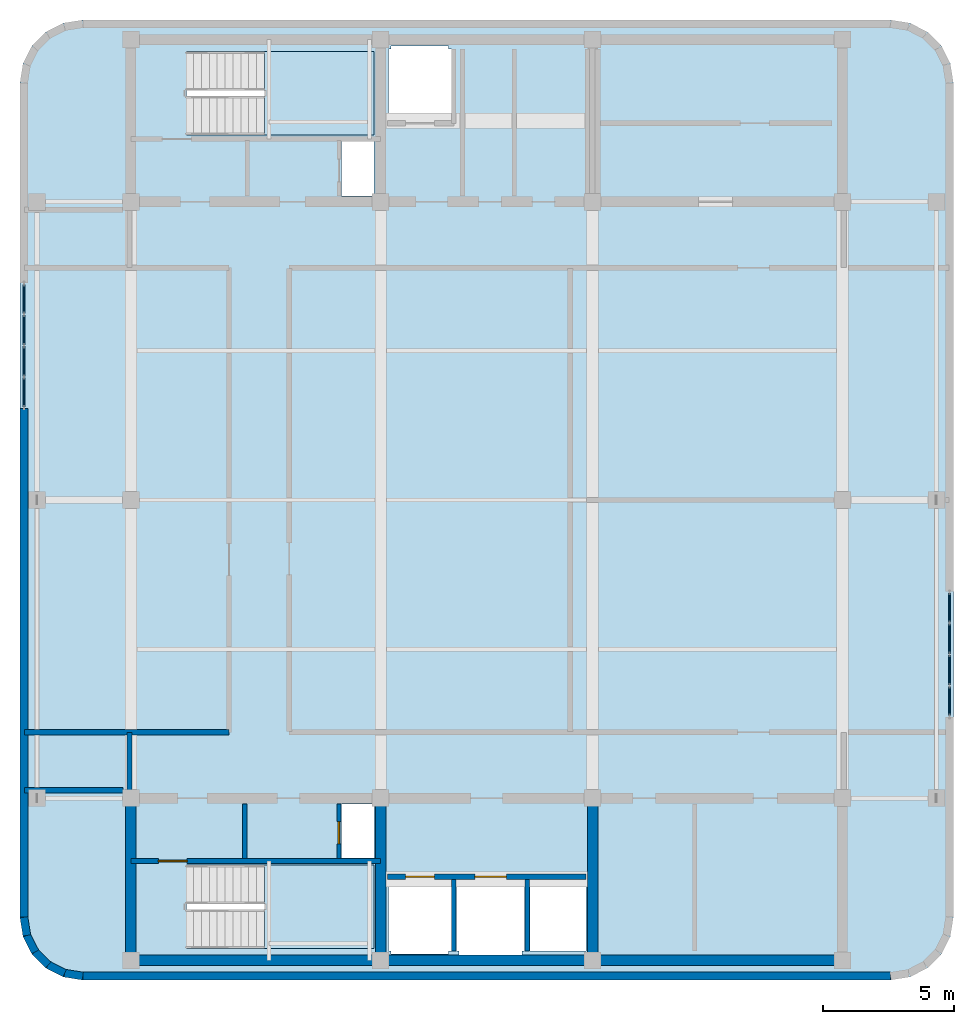
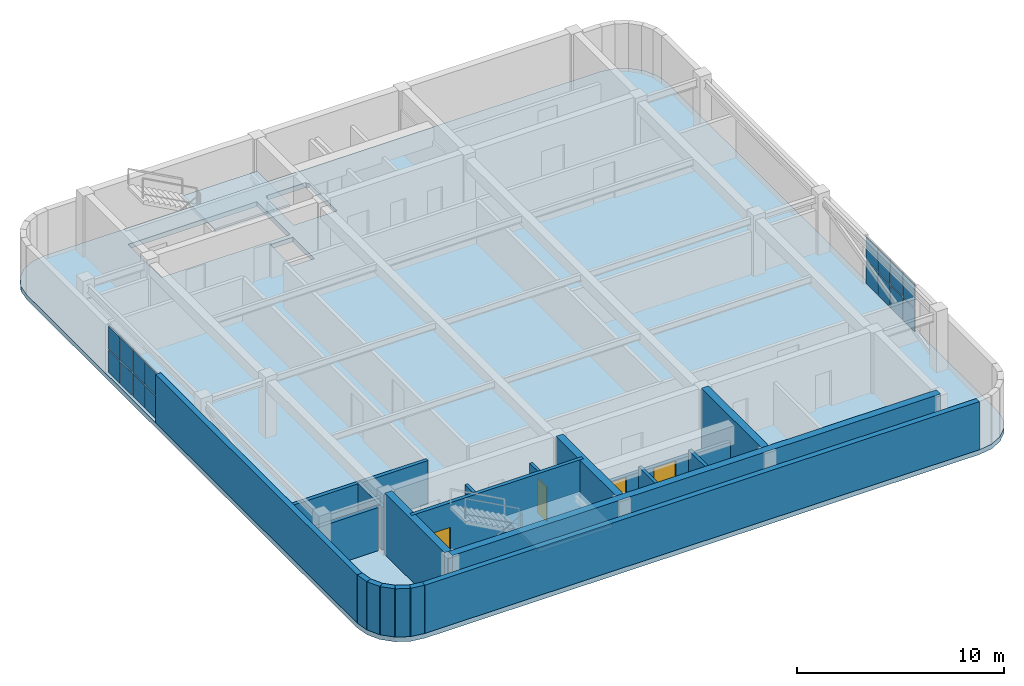
# One storey, part 4 of 9: 20 walls, 16 plates, 4 doors, 3 slabs, 4 openings, 4 elements without a shape of their own.
"""IFC4 building model written with IfcOpenShell, lengths in metres."""

from ifc_helpers import new_model, si_unit, direction, frame, frame_2d, origin, origin_2d, place, context, subcontext, project, spatial, polyline, rectangle, outline, extrude, material, layer, layer_set, type_object, element, fill, aggregate, save


model = new_model("IFC4")

# Units and contexts
model_context = context("Model", 3, precision=1e-05, world=origin(), true_north=direction((0.0, 1.0)))
body_context = subcontext(model_context, "Body", "Model", "MODEL_VIEW")
ifc_project = project(units=[si_unit("LENGTHUNIT", "METRE"), si_unit("AREAUNIT", "SQUARE_METRE"), si_unit("VOLUMEUNIT", "CUBIC_METRE"), si_unit("PLANEANGLEUNIT", "RADIAN"), si_unit("MASSUNIT", "GRAM", prefix="KILO")], contexts=[model_context])

# Site, building, storey
site_placement = place(None, origin())
site = spatial("IfcSite", under=ifc_project, at=site_placement, CompositionType="ELEMENT")
building_placement = place(site_placement, origin())
building = spatial("IfcBuilding", under=site, at=building_placement, Name="Svetorya Sky Lyceum", CompositionType="ELEMENT")
storey_placement = place(building_placement, frame((0.0, 0.0, 312.800048828125)))
storey = spatial("IfcBuildingStorey", under=building, at=storey_placement, Name="C04", CompositionType="ELEMENT", Elevation=312.800048828125)

# Curtain wall, plates
ifc_material_1 = material(Name="Thermally broken anodized aluminium and triple low-E glass", Category="aluminium")
curtain_wall_type = type_object("IfcCurtainWallType", Name="CW5-LVR-PLT", PredefinedType="NOTDEFINED", material=ifc_material_1)
curtain_wall_1_placement = place(storey_placement, origin())
curtain_wall_1 = element("IfcCurtainWall", 1, at=curtain_wall_1_placement, inside=storey, type_object=curtain_wall_type, Name="C04 Acoustic Plant Louvre Curtain Wall 12", PredefinedType="NOTDEFINED")
ifc_material_2 = material(Name="Powder-coated extruded aluminium acoustic louvre blade", Category="aluminium")
ifc_layer_1 = layer(ifc_material_2, 0.06494140625)
ifc_layer_set_1 = layer_set([ifc_layer_1], Name="Powder-coated extruded aluminium acoustic louvre blade")
plate_type = type_object("IfcPlateType", Name="CWP-LVR-65", PredefinedType="SHEET", material=ifc_layer_set_1)
plate_1_placement = place(storey_placement, frame((56.889892578125, 20.516357421875, 0.0634765625), z_axis=(0.0, 0.0, 1.0), x_axis=(0.0, 1.0, 0.0)))
plate_1 = element("IfcPlate", 2, at=plate_1_placement, type_object=plate_type, Name="CW-5 panel 1.1", PredefinedType="SHEET", context=body_context, shape_type="SweptSolid", body=[
    extrude(rectangle(XDim=1.10546875, YDim=0.06494140625, at=origin_2d()), origin(), (0.0, 0.0, 1.0), 1.325439453125),
])
plate_2_placement = place(storey_placement, frame((56.889892578125, 20.516357421875, 1.451171875), z_axis=(0.0, 0.0, 1.0), x_axis=(0.0, 1.0, 0.0)))
plate_2 = element("IfcPlate", 3, at=plate_2_placement, type_object=plate_type, Name="CW-5 panel 1.2", PredefinedType="SHEET", context=body_context, shape_type="SweptSolid", body=[
    extrude(rectangle(XDim=1.10546875, YDim=0.06494140625, at=origin_2d()), origin(), (0.0, 0.0, 1.0), 1.325439453125),
])
plate_3_placement = place(storey_placement, frame((56.889892578125, 21.699951171875, 0.0634765625), z_axis=(0.0, 0.0, 1.0), x_axis=(0.0, 1.0, 0.0)))
plate_3 = element("IfcPlate", 4, at=plate_3_placement, type_object=plate_type, Name="CW-5 panel 2.1", PredefinedType="SHEET", context=body_context, shape_type="SweptSolid", body=[
    extrude(rectangle(XDim=1.137939453125, YDim=0.06494140625, at=origin_2d()), origin(), (0.0, 0.0, 1.0), 1.325439453125),
])
plate_4_placement = place(storey_placement, frame((56.889892578125, 21.699951171875, 1.451171875), z_axis=(0.0, 0.0, 1.0), x_axis=(0.0, 1.0, 0.0)))
plate_4 = element("IfcPlate", 5, at=plate_4_placement, type_object=plate_type, Name="CW-5 panel 2.2", PredefinedType="SHEET", context=body_context, shape_type="SweptSolid", body=[
    extrude(rectangle(XDim=1.137939453125, YDim=0.06494140625, at=origin_2d()), origin(), (0.0, 0.0, 1.0), 1.325439453125),
])
plate_5_placement = place(storey_placement, frame((56.889892578125, 22.89990234375, 0.0634765625), z_axis=(0.0, 0.0, 1.0), x_axis=(0.0, 1.0, 0.0)))
plate_5 = element("IfcPlate", 6, at=plate_5_placement, type_object=plate_type, Name="CW-5 panel 3.1", PredefinedType="SHEET", context=body_context, shape_type="SweptSolid", body=[
    extrude(rectangle(XDim=1.137939453125, YDim=0.06494140625, at=origin_2d()), origin(), (0.0, 0.0, 1.0), 1.325439453125),
])
plate_6_placement = place(storey_placement, frame((56.889892578125, 22.89990234375, 1.451171875), z_axis=(0.0, 0.0, 1.0), x_axis=(0.0, 1.0, 0.0)))
plate_6 = element("IfcPlate", 7, at=plate_6_placement, type_object=plate_type, Name="CW-5 panel 3.2", PredefinedType="SHEET", context=body_context, shape_type="SweptSolid", body=[
    extrude(rectangle(XDim=1.137939453125, YDim=0.06494140625, at=origin_2d()), origin(), (0.0, 0.0, 1.0), 1.325439453125),
])
plate_7_placement = place(storey_placement, frame((56.889892578125, 24.083740234375, 0.0634765625), z_axis=(0.0, 0.0, 1.0), x_axis=(0.0, 1.0, 0.0)))
plate_7 = element("IfcPlate", 8, at=plate_7_placement, type_object=plate_type, Name="CW-5 panel 4.1", PredefinedType="SHEET", context=body_context, shape_type="SweptSolid", body=[
    extrude(rectangle(XDim=1.10546875, YDim=0.06494140625, at=origin_2d()), origin(), (0.0, 0.0, 1.0), 1.325439453125),
])
plate_8_placement = place(storey_placement, frame((56.889892578125, 24.083740234375, 1.451171875), z_axis=(0.0, 0.0, 1.0), x_axis=(0.0, 1.0, 0.0)))
plate_8 = element("IfcPlate", 9, at=plate_8_placement, type_object=plate_type, Name="CW-5 panel 4.2", PredefinedType="SHEET", context=body_context, shape_type="SweptSolid", body=[
    extrude(rectangle(XDim=1.10546875, YDim=0.06494140625, at=origin_2d()), origin(), (0.0, 0.0, 1.0), 1.325439453125),
])
aggregate(curtain_wall_1, [plate_1, plate_2, plate_3, plate_4, plate_5, plate_6, plate_7, plate_8])

curtain_wall_2_placement = place(storey_placement, origin())
curtain_wall_2 = element("IfcCurtainWall", 10, at=curtain_wall_2_placement, inside=storey, type_object=curtain_wall_type, Name="C04 Acoustic Plant Louvre Curtain Wall 24", PredefinedType="NOTDEFINED")
plate_9_placement = place(storey_placement, frame((21.510009765625, 35.8837890625, 0.0634765625), z_axis=(0.0, 0.0, 1.0), x_axis=(0.0, -1.0, 0.0)))
plate_9 = element("IfcPlate", 11, at=plate_9_placement, type_object=plate_type, Name="CW-5 panel 1.1", PredefinedType="SHEET", context=body_context, shape_type="SweptSolid", body=[
    extrude(rectangle(XDim=1.10546875, YDim=0.06494140625, at=origin_2d()), origin(), (0.0, 0.0, 1.0), 1.325439453125),
])
plate_10_placement = place(storey_placement, frame((21.510009765625, 35.8837890625, 1.451171875), z_axis=(0.0, 0.0, 1.0), x_axis=(0.0, -1.0, 0.0)))
plate_10 = element("IfcPlate", 12, at=plate_10_placement, type_object=plate_type, Name="CW-5 panel 1.2", PredefinedType="SHEET", context=body_context, shape_type="SweptSolid", body=[
    extrude(rectangle(XDim=1.10546875, YDim=0.06494140625, at=origin_2d()), origin(), (0.0, 0.0, 1.0), 1.325439453125),
])
plate_11_placement = place(storey_placement, frame((21.510009765625, 34.699951171875, 0.0634765625), z_axis=(0.0, 0.0, 1.0), x_axis=(0.0, -1.0, 0.0)))
plate_11 = element("IfcPlate", 13, at=plate_11_placement, type_object=plate_type, Name="CW-5 panel 2.1", PredefinedType="SHEET", context=body_context, shape_type="SweptSolid", body=[
    extrude(rectangle(XDim=1.137939453125, YDim=0.06494140625, at=origin_2d()), origin(), (0.0, 0.0, 1.0), 1.325439453125),
])
plate_12_placement = place(storey_placement, frame((21.510009765625, 34.699951171875, 1.451171875), z_axis=(0.0, 0.0, 1.0), x_axis=(0.0, -1.0, 0.0)))
plate_12 = element("IfcPlate", 14, at=plate_12_placement, type_object=plate_type, Name="CW-5 panel 2.2", PredefinedType="SHEET", context=body_context, shape_type="SweptSolid", body=[
    extrude(rectangle(XDim=1.137939453125, YDim=0.06494140625, at=origin_2d()), origin(), (0.0, 0.0, 1.0), 1.325439453125),
])
plate_13_placement = place(storey_placement, frame((21.510009765625, 33.5, 0.0634765625), z_axis=(0.0, 0.0, 1.0), x_axis=(0.0, -1.0, 0.0)))
plate_13 = element("IfcPlate", 15, at=plate_13_placement, type_object=plate_type, Name="CW-5 panel 3.1", PredefinedType="SHEET", context=body_context, shape_type="SweptSolid", body=[
    extrude(rectangle(XDim=1.137939453125, YDim=0.06494140625, at=origin_2d()), origin(), (0.0, 0.0, 1.0), 1.325439453125),
])
plate_14_placement = place(storey_placement, frame((21.510009765625, 33.5, 1.451171875), z_axis=(0.0, 0.0, 1.0), x_axis=(0.0, -1.0, 0.0)))
plate_14 = element("IfcPlate", 16, at=plate_14_placement, type_object=plate_type, Name="CW-5 panel 3.2", PredefinedType="SHEET", context=body_context, shape_type="SweptSolid", body=[
    extrude(rectangle(XDim=1.137939453125, YDim=0.06494140625, at=origin_2d()), origin(), (0.0, 0.0, 1.0), 1.325439453125),
])
plate_15_placement = place(storey_placement, frame((21.510009765625, 32.316162109375, 0.0634765625), z_axis=(0.0, 0.0, 1.0), x_axis=(0.0, -1.0, 0.0)))
plate_15 = element("IfcPlate", 17, at=plate_15_placement, type_object=plate_type, Name="CW-5 panel 4.1", PredefinedType="SHEET", context=body_context, shape_type="SweptSolid", body=[
    extrude(rectangle(XDim=1.10546875, YDim=0.06494140625, at=origin_2d()), origin(), (0.0, 0.0, 1.0), 1.325439453125),
])
plate_16_placement = place(storey_placement, frame((21.510009765625, 32.316162109375, 1.451171875), z_axis=(0.0, 0.0, 1.0), x_axis=(0.0, -1.0, 0.0)))
plate_16 = element("IfcPlate", 18, at=plate_16_placement, type_object=plate_type, Name="CW-5 panel 4.2", PredefinedType="SHEET", context=body_context, shape_type="SweptSolid", body=[
    extrude(rectangle(XDim=1.10546875, YDim=0.06494140625, at=origin_2d()), origin(), (0.0, 0.0, 1.0), 1.325439453125),
])
aggregate(curtain_wall_2, [plate_9, plate_10, plate_11, plate_12, plate_13, plate_14, plate_15, plate_16])

# Stair, slab
ifc_material_3 = material(Name="Concrete C40/50", Category="concrete")
stair_type_1 = type_object("IfcStairType", Name="STR-ST-S", PredefinedType="HALF_TURN_STAIR", material=ifc_material_3)
stair_1_placement = place(storey_placement, origin())
stair_1 = element("IfcStair", 19, at=stair_1_placement, inside=storey, type_object=stair_type_1, Name="C04 South Core Smoke-Free Exit Stair N2", PredefinedType="HALF_TURN_STAIR")
ifc_layer_2 = layer(ifc_material_3, 0.199951171875)
ifc_layer_set_2 = layer_set([ifc_layer_2], Name="Concrete C40/50")
slab_type_1 = type_object("IfcSlabType", Name="SL-STR-LAND-200", PredefinedType="LANDING", material=ifc_layer_set_2)
slab_1_placement = place(storey_placement, frame((0.0, 0.0, 1.599853515625)))
slab_1 = element("IfcSlab", 20, at=slab_1_placement, type_object=slab_type_1, Name="ST-S landing 1", PredefinedType="LANDING", context=body_context, shape_type="SweptSolid", body=[
    extrude(outline(polyline([(30.699951171875, 11.050048828125), (34.89990234375, 11.050048828125), (34.89990234375, 14.25), (30.699951171875, 14.25), (30.699951171875, 11.050048828125)])), origin(), (0.0, 0.0, 1.0), 0.2001953125),
])
aggregate(stair_1, [slab_1])

stair_type_2 = type_object("IfcStairType", Name="STR-ST-N", PredefinedType="HALF_TURN_STAIR", material=ifc_material_3)
stair_2_placement = place(storey_placement, origin())
stair_2 = element("IfcStair", 21, at=stair_2_placement, inside=storey, type_object=stair_type_2, Name="C04 North Core Smoke-Free Exit Stair N3", PredefinedType="HALF_TURN_STAIR")
slab_2_placement = place(storey_placement, frame((0.0, 0.0, 1.599853515625)))
slab_2 = element("IfcSlab", 22, at=slab_2_placement, type_object=slab_type_1, Name="ST-N landing 1", PredefinedType="LANDING", context=body_context, shape_type="SweptSolid", body=[
    extrude(outline(polyline([(30.699951171875, 42.14990234375), (34.89990234375, 42.14990234375), (34.89990234375, 45.35009765625), (30.699951171875, 45.35009765625), (30.699951171875, 42.14990234375)])), origin(), (0.0, 0.0, 1.0), 0.2001953125),
])
aggregate(stair_2, [slab_2])

# Slab
ifc_material_4 = material(Name="Concrete C50/60", Category="concrete")
ifc_layer_3 = layer(ifc_material_4, 0.280029296875)
ifc_layer_set_3 = layer_set([ifc_layer_3], Name="Concrete C50/60")
slab_type_2 = type_object("IfcSlabType", Name="SL-TWR-280", PredefinedType="FLOOR", material=ifc_layer_set_3)
slab_3_placement = place(storey_placement, frame((0.0, 0.0, -0.280029296875)))
element("IfcSlab", 23, at=slab_3_placement, inside=storey, type_object=slab_type_2, Name="C04 Structural Floor Slab", PredefinedType="FLOOR", context=body_context, shape_type="SweptSolid", body=[
    extrude(outline(polyline([(21.360107421875, 12.25), (21.4775390625, 11.50830078125), (21.818359375, 10.83935546875), (22.349365234375, 10.308349609375), (23.018310546875, 9.967529296875), (23.760009765625, 9.85009765625), (54.639892578125, 9.85009765625), (55.381591796875, 9.967529296875), (56.05078125, 10.308349609375), (56.58154296875, 10.83935546875), (56.922607421875, 11.50830078125), (57.0400390625, 12.25), (57.0400390625, 44.14990234375), (56.922607421875, 44.8916015625), (56.58154296875, 45.560791015625), (56.05078125, 46.091552734375), (55.381591796875, 46.4326171875), (54.639892578125, 46.550048828125), (23.760009765625, 46.550048828125), (23.018310546875, 46.4326171875), (22.349365234375, 46.091552734375), (21.818359375, 45.560791015625), (21.4775390625, 44.8916015625), (21.360107421875, 44.14990234375), (21.360107421875, 12.25)]), holes=[polyline([(37.75, 10.85009765625), (35.550048828125, 10.85009765625), (35.550048828125, 10.949951171875), (35.449951171875, 10.949951171875), (35.449951171875, 13.64990234375), (35.550048828125, 13.64990234375), (37.75, 13.64990234375), (37.85009765625, 13.64990234375), (37.85009765625, 10.949951171875), (37.75, 10.949951171875), (37.75, 10.85009765625)]), polyline([(34.89990234375, 11.050048828125), (27.719970703125, 11.050048828125), (27.719970703125, 14.25), (34.89990234375, 14.25), (34.89990234375, 11.050048828125)]), polyline([(34.89990234375, 14.52001953125), (33.64990234375, 14.52001953125), (33.64990234375, 16.580078125), (34.89990234375, 16.580078125), (34.89990234375, 14.52001953125)]), polyline([(33.64990234375, 39.820068359375), (33.64990234375, 41.89990234375), (34.89990234375, 41.89990234375), (34.89990234375, 39.820068359375), (33.64990234375, 39.820068359375)]), polyline([(27.719970703125, 42.14990234375), (27.719970703125, 45.35009765625), (34.89990234375, 45.35009765625), (34.89990234375, 42.14990234375), (27.719970703125, 42.14990234375)]), polyline([(37.75, 45.449951171875), (37.85009765625, 45.449951171875), (37.85009765625, 42.75), (37.75, 42.75), (35.550048828125, 42.75), (35.449951171875, 42.75), (35.449951171875, 45.449951171875), (35.550048828125, 45.449951171875), (35.550048828125, 45.550048828125), (37.75, 45.550048828125), (37.75, 45.449951171875)]), polyline([(40.64990234375, 13.64990234375), (40.64990234375, 10.949951171875), (40.550048828125, 10.949951171875), (40.550048828125, 10.800048828125), (38.14990234375, 10.800048828125), (38.14990234375, 10.949951171875), (38.050048828125, 10.949951171875), (38.050048828125, 13.64990234375), (38.14990234375, 13.64990234375), (38.14990234375, 13.699951171875), (40.550048828125, 13.699951171875), (40.550048828125, 13.64990234375), (40.64990234375, 13.64990234375)]), polyline([(40.85009765625, 10.949951171875), (40.85009765625, 13.64990234375), (43.0, 13.64990234375), (43.0, 10.949951171875), (40.85009765625, 10.949951171875)])]), origin(), (0.0, 0.0, 1.0), 0.280029296875),
])

# Walls
ifc_layer_4 = layer(ifc_material_3, 0.39990234375)
ifc_layer_set_4 = layer_set([ifc_layer_4], Name="Concrete C40/50")
wall_type_1 = type_object("IfcWallType", Name="WL-CORE-400", PredefinedType="SHEAR", material=ifc_layer_set_4)
wall_1_placement = place(storey_placement, frame((52.800048828125, 10.60009765625, 0.0), z_axis=(0.0, 0.0, 1.0), x_axis=(-1.0, 0.0, 0.0)))
element("IfcWall", 24, at=wall_1_placement, inside=storey, type_object=wall_type_1, Name="C04 SC Outer Core Shear Wall", PredefinedType="SHEAR", context=body_context, shape_type="SweptSolid", body=[
    extrude(rectangle(XDim=27.199951171875, YDim=0.39990234375, at=frame_2d((13.60009765625, 0.0))), origin(), (0.0, 0.0, 1.0), 3.599853515625),
])
for number, where, z_axis, x_axis, name in (
    (25, (25.60009765625, 10.800048828125, 0.0), (0.0, 0.0, 1.0), (0.0, 1.0, 0.0), "C04 SC West Core Shear Wall"),
    (26, (35.14990234375, 10.800048828125, 0.0), (0.0, 0.0, 1.0), (0.0, 1.0, 0.0), "C04 SC Internal Shear Web WEB1"),
    (27, (43.25, 10.800048828125, 0.0), (0.0, 0.0, 1.0), (0.0, 1.0, 0.0), "C04 SC Internal Shear Web WEB2"),
):
    element("IfcWall", number, at=place(storey_placement, frame(where, z_axis=z_axis, x_axis=x_axis)), inside=storey, type_object=wall_type_1, Name=name, PredefinedType="SHEAR", context=body_context, shape_type="SweptSolid", body=[
        extrude(rectangle(XDim=5.800048828125, YDim=0.39990234375, at=frame_2d((2.89990234375, 0.0))), origin(), (0.0, 0.0, 1.0), 3.599853515625),
    ])
ifc_material_5 = material(Name="Putilovo limestone rainscreen on autoclaved cellular masonry", Category="masonry")
ifc_layer_5 = layer(ifc_material_5, 0.300048828125)
ifc_layer_set_5 = layer_set([ifc_layer_5], Name="Putilovo limestone rainscreen on autoclaved cellular masonry")
wall_type_2 = type_object("IfcWallType", Name="WL-EXT-300", PredefinedType="SOLIDWALL", material=ifc_layer_set_5)
for number, where, z_axis, x_axis, name in (
    (28, (21.510009765625, 12.25, 0.0), (0.0, 0.0, 1.0), (0.156407776626, -0.987692567255, 0.0), "C04 Limestone Exterior Wall 1M"),
    (29, (21.6201171875, 11.5546875, 0.0), (0.0, 0.0, 1.0), (0.453998517824, -0.891002438725, 0.0), "C04 Limestone Exterior Wall 2M"),
):
    element("IfcWall", number, at=place(storey_placement, frame(where, z_axis=z_axis, x_axis=x_axis)), inside=storey, type_object=wall_type_2, Name=name, PredefinedType="SOLIDWALL", context=body_context, shape_type="SweptSolid", body=[
        extrude(rectangle(XDim=0.703857421875, YDim=0.300048828125, at=frame_2d((0.35205078125, 0.0))), origin(), (0.0, 0.0, 1.0), 2.83984375),
    ])
wall_2_placement = place(storey_placement, frame((21.939697265625, 10.927490234375, 0.0), z_axis=(0.0, 0.0, 1.0), x_axis=(0.707106781187, -0.707106781187, 0.0)))
element("IfcWall", 30, at=wall_2_placement, inside=storey, type_object=wall_type_2, Name="C04 Limestone Exterior Wall 3M", PredefinedType="SOLIDWALL", context=body_context, shape_type="SweptSolid", body=[
    extrude(rectangle(XDim=0.7041015625, YDim=0.300048828125, at=frame_2d((0.35205078125, 0.0))), origin(), (0.0, 0.0, 1.0), 2.83984375),
])
for number, where, z_axis, x_axis, name in (
    (31, (22.4375, 10.4296875, 0.0), (0.0, 0.0, 1.0), (0.891002438725, -0.453998517824, 0.0), "C04 Limestone Exterior Wall 4M"),
    (32, (23.064697265625, 10.110107421875, 0.0), (0.0, 0.0, 1.0), (0.987692567255, -0.156407776626, 0.0), "C04 Limestone Exterior Wall 5M"),
):
    element("IfcWall", number, at=place(storey_placement, frame(where, z_axis=z_axis, x_axis=x_axis)), inside=storey, type_object=wall_type_2, Name=name, PredefinedType="SOLIDWALL", context=body_context, shape_type="SweptSolid", body=[
        extrude(rectangle(XDim=0.703857421875, YDim=0.300048828125, at=frame_2d((0.35205078125, 0.0))), origin(), (0.0, 0.0, 1.0), 2.83984375),
    ])
wall_3_placement = place(storey_placement, frame((23.760009765625, 10.0, 0.0), z_axis=(0.0, 0.0, 1.0), x_axis=(1.0, 0.0, 0.0)))
element("IfcWall", 33, at=wall_3_placement, inside=storey, type_object=wall_type_2, Name="C04 Limestone Exterior Wall 6M", PredefinedType="SOLIDWALL", context=body_context, shape_type="SweptSolid", body=[
    extrude(rectangle(XDim=30.8798828125, YDim=0.300048828125, at=frame_2d((15.43994140625, 0.0))), origin(), (0.0, 0.0, 1.0), 2.83984375),
])
wall_4_placement = place(storey_placement, frame((21.510009765625, 31.699951171875, 0.0), z_axis=(0.0, 0.0, 1.0), x_axis=(0.0, -1.0, 0.0)))
element("IfcWall", 34, at=wall_4_placement, inside=storey, type_object=wall_type_2, Name="C04 Limestone Exterior Wall 24B", PredefinedType="SOLIDWALL", context=body_context, shape_type="SweptSolid", body=[
    extrude(rectangle(XDim=19.449951171875, YDim=0.300048828125, at=frame_2d((9.72509765625, 0.0))), origin(), (0.0, 0.0, 1.0), 2.83984375),
])

# Wall, opening, door
ifc_material_6 = material(Name="Autoclaved cellular masonry blockwork with acoustic render", Category="masonry")
ifc_layer_6 = layer(ifc_material_6, 0.14990234375)
ifc_layer_set_6 = layer_set([ifc_layer_6], Name="Autoclaved cellular masonry blockwork with acoustic render")
wall_type_3 = type_object("IfcWallType", Name="WL-PART-150", PredefinedType="PARTITIONING", material=ifc_layer_set_6)
wall_5_placement = place(storey_placement, frame((33.550048828125, 14.5, 0.0), z_axis=(0.0, 0.0, 1.0), x_axis=(0.0, 1.0, 0.0)))
wall_5 = element("IfcWall", 35, at=wall_5_placement, inside=storey, type_object=wall_type_3, Name="C04 Interior Partition SC-SWD2", PredefinedType="PARTITIONING", context=body_context, shape_type="SweptSolid", body=[
    extrude(rectangle(XDim=2.080078125, YDim=0.14990234375, at=frame_2d((1.0400390625, 0.0))), origin(), (0.0, 0.0, 1.0), 2.5400390625),
])
opening_1_placement = place(wall_5_placement, frame((0.550048828125, 0.0, 0.0)))
opening_1 = element("IfcOpeningElement", 36, at=opening_1_placement, cuts=wall_5, Name="Opening D-SH1", PredefinedType="OPENING", context=body_context, shape_type="SweptSolid", body=[
    extrude(rectangle(XDim=0.85009765625, YDim=2.050048828125, at=frame_2d((0.425048828125, 1.02490234375))), frame((0.0, 0.0849609375, 0.0), z_axis=(0.0, -1.0, 0.0), x_axis=(1.0, 0.0, 0.0)), (0.0, 0.0, 1.0), 0.169921875),
])
ifc_material_7 = material(Name="Insulated galvanized riser inspection fire door")
door_type_1 = type_object("IfcDoorType", Name="DR-SHFT-850", OperationType="SINGLE_SWING_LEFT", PredefinedType="TRAPDOOR", material=ifc_material_7)
door_1_placement = place(opening_1_placement, origin())
door_1 = element("IfcDoor", 37, at=door_1_placement, inside=storey, type_object=door_type_1, Name="C04 South Riser Access Door", OperationType="SINGLE_SWING_RIGHT", OverallHeight=2.050048828125, OverallWidth=0.85009765625, PredefinedType="TRAPDOOR", context=body_context, shape_type="SweptSolid", body=[
    extrude(rectangle(XDim=0.85009765625, YDim=2.050048828125, at=frame_2d((0.425048828125, 1.02490234375))), frame((0.0, 0.02490234375, 0.0), z_axis=(0.0, -1.0, 0.0), x_axis=(1.0, 0.0, 0.0)), (0.0, 0.0, 1.0), 0.050048828125),
])
fill(opening_1, door_1)

# Walls
ifc_material_8 = material(Name="Autoclaved cellular masonry blockwork with fire render", Category="masonry")
ifc_layer_7 = layer(ifc_material_8, 0.175048828125)
ifc_layer_set_7 = layer_set([ifc_layer_7], Name="Autoclaved cellular masonry blockwork with fire render")
wall_type_4 = type_object("IfcWallType", Name="WL-PART-175", PredefinedType="PARTITIONING", material=ifc_layer_set_7)
wall_6_placement = place(storey_placement, frame((29.949951171875, 14.5, 0.0), z_axis=(0.0, 0.0, 1.0), x_axis=(0.0, 1.0, 0.0)))
element("IfcWall", 38, at=wall_6_placement, inside=storey, type_object=wall_type_4, Name="C04 Interior Partition SC-SWD1", PredefinedType="PARTITIONING", context=body_context, shape_type="SweptSolid", body=[
    extrude(rectangle(XDim=2.080078125, YDim=0.175048828125, at=frame_2d((1.0400390625, 0.0))), origin(), (0.0, 0.0, 1.0), 2.5400390625),
])
for number, where, z_axis, x_axis, name in (
    (39, (37.949951171875, 10.949951171875, 0.0), (0.0, 0.0, 1.0), (0.0, 1.0, 0.0), "C04 Interior Partition SC-SHD1"),
    (40, (40.75, 10.949951171875, 0.0), (0.0, 0.0, 1.0), (0.0, 1.0, 0.0), "C04 Interior Partition SC-SHD2"),
):
    element("IfcWall", number, at=place(storey_placement, frame(where, z_axis=z_axis, x_axis=x_axis)), inside=storey, type_object=wall_type_4, Name=name, PredefinedType="PARTITIONING", context=body_context, shape_type="SweptSolid", body=[
        extrude(rectangle(XDim=2.75, YDim=0.175048828125, at=frame_2d((1.375, 0.0))), origin(), (0.0, 0.0, 1.0), 2.5400390625),
    ])

# Wall, openings, doors
ifc_material_9 = material(Name="Autoclaved cellular masonry blockwork with gypsum plaster", Category="masonry")
ifc_layer_8 = layer(ifc_material_9, 0.199951171875)
ifc_layer_set_8 = layer_set([ifc_layer_8], Name="Autoclaved cellular masonry blockwork with gypsum plaster")
wall_type_5 = type_object("IfcWallType", Name="WL-PART-200", PredefinedType="PARTITIONING", material=ifc_layer_set_8)
wall_7_placement = place(storey_placement, frame((35.39990234375, 13.800048828125, 0.0), z_axis=(0.0, 0.0, 1.0), x_axis=(1.0, 0.0, 0.0)))
wall_7 = element("IfcWall", 41, at=wall_7_placement, inside=storey, type_object=wall_type_5, Name="C04 Interior Partition SC-FLW", PredefinedType="PARTITIONING", context=body_context, shape_type="SweptSolid", body=[
    extrude(rectangle(XDim=7.60009765625, YDim=0.199951171875, at=frame_2d((3.800048828125, 0.0))), origin(), (0.0, 0.0, 1.0), 2.199951171875),
])
opening_2_placement = place(wall_7_placement, frame((0.699951171875, 0.0, 0.0)))
opening_2 = element("IfcOpeningElement", 42, at=opening_2_placement, cuts=wall_7, Name="Opening LD-FL", PredefinedType="OPENING", context=body_context, shape_type="SweptSolid", body=[
    extrude(rectangle(XDim=1.10009765625, YDim=2.14990234375, at=frame_2d((0.550048828125, 1.074951171875))), frame((0.0, 0.10986328125, 0.0), z_axis=(0.0, -1.0, 0.0), x_axis=(1.0, 0.0, 0.0)), (0.0, 0.0, 1.0), 0.219970703125),
])
opening_3_placement = place(wall_7_placement, frame((3.35009765625, 0.0, 0.0)))
opening_3 = element("IfcOpeningElement", 43, at=opening_3_placement, cuts=wall_7, Name="Opening LD-SV", PredefinedType="OPENING", context=body_context, shape_type="SweptSolid", body=[
    extrude(rectangle(XDim=1.199951171875, YDim=2.14990234375, at=frame_2d((0.60009765625, 1.074951171875))), frame((0.0, 0.10986328125, 0.0), z_axis=(0.0, -1.0, 0.0), x_axis=(1.0, 0.0, 0.0)), (0.0, 0.0, 1.0), 0.219970703125),
])
ifc_material_10 = material(Name="Fire-rated stainless AISI 304 firefighting lift landing door")
door_type_2 = type_object("IfcDoorType", Name="DR-LIFT-1100", OperationType="SLIDING_TO_LEFT", PredefinedType="DOOR", material=ifc_material_10)
door_2_placement = place(opening_2_placement, origin())
door_2 = element("IfcDoor", 44, at=door_2_placement, inside=storey, type_object=door_type_2, Name="C04 Firefighting Lift FL2 Landing Door", OperationType="SLIDING_TO_LEFT", OverallHeight=2.14990234375, OverallWidth=1.10009765625, PredefinedType="DOOR", context=body_context, shape_type="SweptSolid", body=[
    extrude(rectangle(XDim=1.10009765625, YDim=2.14990234375, at=frame_2d((0.550048828125, 1.074951171875))), frame((0.0, 0.02490234375, 0.0), z_axis=(0.0, -1.0, 0.0), x_axis=(1.0, 0.0, 0.0)), (0.0, 0.0, 1.0), 0.050048828125),
])
fill(opening_2, door_2)
ifc_material_11 = material(Name="Brushed stainless AISI 304 telescopic lift landing door")
door_type_3 = type_object("IfcDoorType", Name="DR-LIFT-1200", OperationType="SLIDING_TO_LEFT", PredefinedType="DOOR", material=ifc_material_11)
door_3_placement = place(opening_3_placement, origin())
door_3 = element("IfcDoor", 45, at=door_3_placement, inside=storey, type_object=door_type_3, Name="C04 Service Lift SVL1 Landing Door", OperationType="SLIDING_TO_LEFT", OverallHeight=2.14990234375, OverallWidth=1.199951171875, PredefinedType="DOOR", context=body_context, shape_type="SweptSolid", body=[
    extrude(rectangle(XDim=1.199951171875, YDim=2.14990234375, at=frame_2d((0.60009765625, 1.074951171875))), frame((0.0, 0.02490234375, 0.0), z_axis=(0.0, -1.0, 0.0), x_axis=(1.0, 0.0, 0.0)), (0.0, 0.0, 1.0), 0.050048828125),
])
fill(opening_3, door_3)

# Walls
wall_8_placement = place(storey_placement, frame((21.530029296875, 19.320068359375, 0.0), z_axis=(0.0, 0.0, 1.0), x_axis=(1.0, 0.0, 0.0)))
element("IfcWall", 46, at=wall_8_placement, inside=storey, type_object=wall_type_5, Name="C04 Interior Partition PL-SW", PredefinedType="PARTITIONING", context=body_context, shape_type="SweptSolid", body=[
    extrude(rectangle(XDim=7.820068359375, YDim=0.199951171875, at=frame_2d((3.91015625, 0.0))), origin(), (0.0, 0.0, 1.0), 2.5400390625),
])
wall_9_placement = place(storey_placement, frame((25.550048828125, 16.949951171875, 0.0), z_axis=(0.0, 0.0, 1.0), x_axis=(0.0, 1.0, 0.0)))
element("IfcWall", 47, at=wall_9_placement, inside=storey, type_object=wall_type_5, Name="C04 Interior Partition PL-SW-END", PredefinedType="PARTITIONING", context=body_context, shape_type="SweptSolid", body=[
    extrude(rectangle(XDim=2.3701171875, YDim=0.199951171875, at=frame_2d((1.18505859375, 0.0))), origin(), (0.0, 0.0, 1.0), 2.5400390625),
])
wall_10_placement = place(storey_placement, frame((21.530029296875, 17.10009765625, 0.0), z_axis=(0.0, 0.0, 1.0), x_axis=(1.0, 0.0, 0.0)))
element("IfcWall", 48, at=wall_10_placement, inside=storey, type_object=wall_type_5, Name="C04 Interior Partition PL-WS-CAP", PredefinedType="PARTITIONING", context=body_context, shape_type="SweptSolid", body=[
    extrude(rectangle(XDim=3.77001953125, YDim=0.199951171875, at=frame_2d((1.885009765625, 0.0))), origin(), (0.0, 0.0, 1.0), 2.5400390625),
])

# Wall, opening, door
ifc_layer_9 = layer(ifc_material_4, 0.199951171875)
ifc_layer_set_9 = layer_set([ifc_layer_9], Name="Concrete C50/60")
wall_type_6 = type_object("IfcWallType", Name="WL-SHW-200", PredefinedType="SHEAR", material=ifc_layer_set_9)
wall_11_placement = place(storey_placement, frame((25.60009765625, 14.39990234375, 0.0), z_axis=(0.0, 0.0, 1.0), x_axis=(1.0, 0.0, 0.0)))
wall_11 = element("IfcWall", 49, at=wall_11_placement, inside=storey, type_object=wall_type_6, Name="C04 Structural Stair Shaft Wall SC-STW", PredefinedType="SHEAR", context=body_context, shape_type="SweptSolid", body=[
    extrude(rectangle(XDim=9.5498046875, YDim=0.199951171875, at=frame_2d((4.77490234375, 0.0))), origin(), (0.0, 0.0, 1.0), 3.599853515625),
])
opening_4_placement = place(wall_11_placement, frame((1.050048828125, 0.0, 0.0)))
opening_4 = element("IfcOpeningElement", 50, at=opening_4_placement, cuts=wall_11, Name="Opening D-ST1", PredefinedType="OPENING", context=body_context, shape_type="SweptSolid", body=[
    extrude(rectangle(XDim=1.10009765625, YDim=2.14990234375, at=frame_2d((0.550048828125, 1.074951171875))), frame((0.0, 0.10986328125, 0.0), z_axis=(0.0, -1.0, 0.0), x_axis=(1.0, 0.0, 0.0)), (0.0, 0.0, 1.0), 0.219970703125),
])
ifc_material_12 = material(Name="Powder-coated insulated galvanized stair fire door")
door_type_4 = type_object("IfcDoorType", Name="DR-FIRE-1100", OperationType="SINGLE_SWING_LEFT", PredefinedType="DOOR", material=ifc_material_12)
door_4_placement = place(opening_4_placement, origin())
door_4 = element("IfcDoor", 51, at=door_4_placement, inside=storey, type_object=door_type_4, Name="C04 Stair ST-S Vestibule Fire Door", OperationType="SINGLE_SWING_LEFT", OverallHeight=2.14990234375, OverallWidth=1.10009765625, PredefinedType="DOOR", context=body_context, shape_type="SweptSolid", body=[
    extrude(rectangle(XDim=1.10009765625, YDim=2.14990234375, at=frame_2d((0.550048828125, 1.074951171875))), frame((0.0, 0.02490234375, 0.0), z_axis=(0.0, -1.0, 0.0), x_axis=(1.0, 0.0, 0.0)), (0.0, 0.0, 1.0), 0.050048828125),
])
fill(opening_4, door_4)

save(model, "model.ifc")
